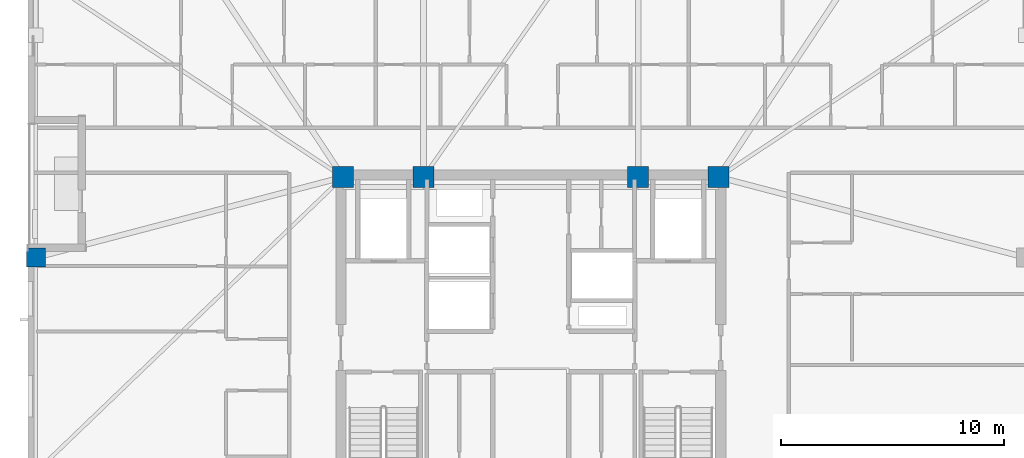
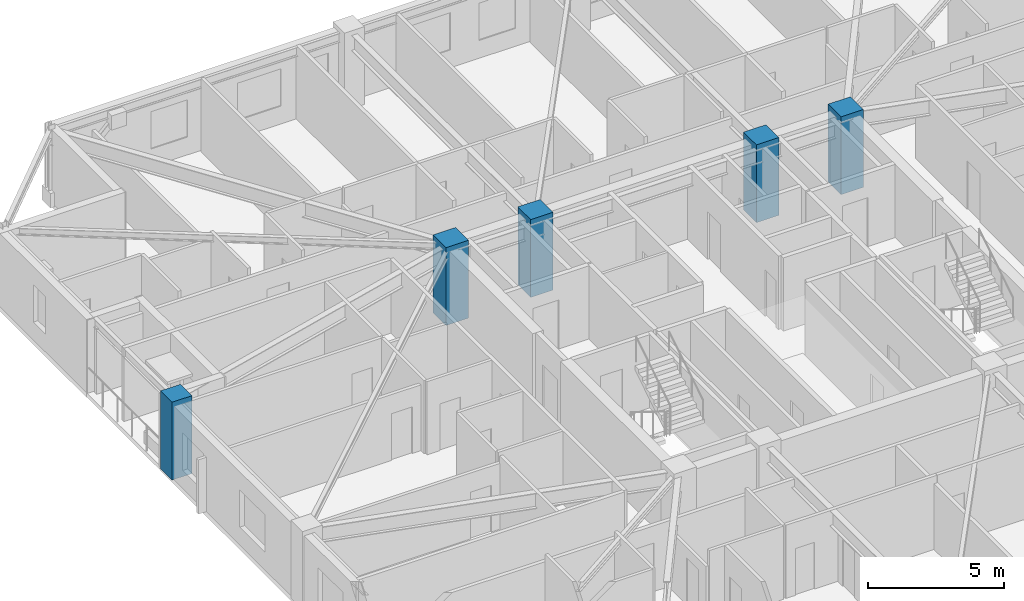
# One storey, part 2 of 17: 5 columns.
"""IFC4 building model written with IfcOpenShell, lengths in metres."""

import ifcopenshell
import ifcopenshell.guid

model = None  # the IFC model being written
_history = None  # IfcOwnerHistory: only IFC2X3 demands one
_inside = {}  # id of a spatial element -> (the spatial element, [elements in it])
_under = {}  # id of a project, library or spatial element -> (it, [spatial elements below it])
_declared = {}  # id of a project -> (the project, [libraries it declares])
_typed = {}  # id of a type object -> (the type object, [elements of that type])
_made_of = {}  # id of a material, layer set ... -> (it, [elements and type objects made of it])


def new_model(schema):
    """Start an empty IFC model of exactly this schema.

    Asked for "IFC4X3", IfcOpenShell would pick the latest addendum, in which some entities
    have other attributes; the version numbers below select the first issue.
    IFC2X3 requires an IfcOwnerHistory on every rooted entity: one is made here for all.
    """
    global model, _history
    if schema == "IFC4X3":
        model = ifcopenshell.file(schema_version=(4, 3, 0, 0))
    else:
        model = ifcopenshell.file(schema=schema)
    _inside.clear()
    _under.clear()
    _declared.clear()
    _typed.clear()
    _made_of.clear()
    _history = None
    if model.schema == "IFC2X3":
        org = make("IfcOrganization", Name="unknown")
        user = make(
            "IfcPersonAndOrganization",
            ThePerson=make("IfcPerson", FamilyName="unknown"),
            TheOrganization=org,
        )
        app = make(
            "IfcApplication",
            ApplicationDeveloper=org,
            Version="unknown",
            ApplicationFullName="unknown",
            ApplicationIdentifier="unknown",
        )
        _history = make(
            "IfcOwnerHistory",
            OwningUser=user,
            OwningApplication=app,
            ChangeAction="ADDED",
            CreationDate=0,
        )
    return model


def make(cls, **values):
    """One entity of the class cls with the attributes given. An attribute that is None is left unset."""
    return model.create_entity(
        cls, **{name: value for name, value in values.items() if value is not None}
    )


def rooted(cls, **values):
    """An entity with a GlobalId (a new one), such as an element, a storey or a relation."""
    return make(cls, GlobalId=ifcopenshell.guid.new(), OwnerHistory=_history, **values)


def si_unit(unit_type, name, prefix=None):
    """IfcSIUnit, for example si_unit("LENGTHUNIT", "METRE", prefix="MILLI")."""
    return make("IfcSIUnit", UnitType=unit_type, Prefix=prefix, Name=name)


def assignment(units):
    """IfcUnitAssignment: the units of a project."""
    return None if units is None else make("IfcUnitAssignment", Units=units)


def point(xyz):
    """IfcCartesianPoint."""
    return None if xyz is None else make("IfcCartesianPoint", Coordinates=xyz)


def direction(xyz):
    """IfcDirection."""
    return None if xyz is None else make("IfcDirection", DirectionRatios=xyz)


def frame(location, z_axis=None, x_axis=None):
    """IfcAxis2Placement3D, a coordinate frame: its origin and axes. An axis left out is left unset."""
    return make(
        "IfcAxis2Placement3D",
        Location=point(location),
        Axis=direction(z_axis),
        RefDirection=direction(x_axis),
    )


def frame_2d(location, x_axis=None):
    """IfcAxis2Placement2D, a coordinate frame in the plane: its origin and x axis."""
    return make(
        "IfcAxis2Placement2D", Location=point(location), RefDirection=direction(x_axis)
    )


def origin():
    """The frame at (0, 0, 0) with its axes left unset."""
    return frame((0.0, 0.0, 0.0))


def origin_2d():
    """The frame at (0, 0) in the plane with its x axis left unset."""
    return frame_2d((0.0, 0.0))


def place(relative_to, where):
    """IfcLocalPlacement: puts the frame where relative to a parent placement (None: the world)."""
    return make(
        "IfcLocalPlacement", PlacementRelTo=relative_to, RelativePlacement=where
    )


def context(
    kind, dimensions, precision=None, world=None, true_north=None, identifier=None
):
    """IfcGeometricRepresentationContext, for example the 3D "Model" context."""
    return make(
        "IfcGeometricRepresentationContext",
        ContextIdentifier=identifier,
        ContextType=kind,
        CoordinateSpaceDimension=dimensions,
        Precision=precision,
        WorldCoordinateSystem=world,
        TrueNorth=true_north,
    )


def subcontext(parent, identifier, kind, view, scale=None):
    """IfcGeometricRepresentationSubContext, for example "Body" below "Model"."""
    return make(
        "IfcGeometricRepresentationSubContext",
        ContextIdentifier=identifier,
        ContextType=kind,
        ParentContext=parent,
        TargetScale=scale,
        TargetView=view,
    )


def project(units=None, contexts=None):
    """IfcProject with its units and contexts."""
    return rooted(
        "IfcProject",
        Name="project",
        RepresentationContexts=contexts,
        UnitsInContext=assignment(units),
    )


def spatial(cls, under=None, at=None, **own):
    """A site, building, storey or space (cls), placed at a placement, below another one or the project."""
    s = rooted(cls, ObjectPlacement=at, **own)
    if under is not None:
        _under.setdefault(under.id(), (under, []))[1].append(s)
    return s


def profile(cls, at=None, kind="AREA", **sizes):
    """A parametric profile (cls). Its sizes go by their IFC names, for example OverallWidth=200.0."""
    return make(cls, ProfileType=kind, Position=at, **sizes)


def rectangle(**sizes):
    """IfcRectangleProfileDef."""
    return profile("IfcRectangleProfileDef", **sizes)


def extrude(swept, where, along, depth):
    """IfcExtrudedAreaSolid: the profile swept, set in the frame where, extruded along a direction by depth."""
    return make(
        "IfcExtrudedAreaSolid",
        SweptArea=swept,
        Position=where,
        ExtrudedDirection=direction(along),
        Depth=depth,
    )


def shape(context_of_items, identifier, shape_type, items):
    """IfcShapeRepresentation: the items that make up one representation, for example the "Body"."""
    return make(
        "IfcShapeRepresentation",
        ContextOfItems=context_of_items,
        RepresentationIdentifier=identifier,
        RepresentationType=shape_type,
        Items=items,
    )


def material(Name=None, Category=None):
    """IfcMaterial."""
    return make("IfcMaterial", Name=Name, Category=Category)


def material_profile(
    of_material, cross_section, Name=None, Category=None, Priority=None
):
    """IfcMaterialProfile: a cross section and its material."""
    return make(
        "IfcMaterialProfile",
        Name=Name,
        Material=of_material,
        Profile=cross_section,
        Priority=Priority,
        Category=Category,
    )


def profile_set(profiles, Name=None, composite=None):
    """IfcMaterialProfileSet."""
    return make(
        "IfcMaterialProfileSet",
        Name=Name,
        MaterialProfiles=profiles,
        CompositeProfile=composite,
    )


def made_of(thing, what):
    """Note that an element or type object is made of a material, layer set ...; save() writes the relation."""
    if what is not None:
        _made_of.setdefault(what.id(), (what, []))[1].append(thing)
    return thing


def type_object(cls, material=None, **own):
    """A type object (cls), such as IfcWallType, which elements share."""
    return made_of(rooted(cls, **own), material)


def element(
    cls,
    number,
    at=None,
    inside=None,
    cuts=None,
    type_object=None,
    material=None,
    context=None,
    identifier="Body",
    shape_type=None,
    held_by="IfcProductDefinitionShape",
    body=None,
    shapes=None,
    **own,
):
    """One element of the class cls, such as IfcWall. Its Tag is "e" and its number.

    at: its placement. inside: the storey or other place that contains it. cuts: it is an
    opening in that element (IfcRelVoidsElement). A single representation is given by context,
    identifier, shape_type and body (its items); several are given by shapes. held_by: the class
    of the entity that holds the representations. save() writes the other relations.
    """
    e = rooted(cls, Tag="e%d" % number, ObjectPlacement=at, **own)
    if body is not None:
        shapes = [shape(context, identifier, shape_type, body)]
    if shapes is not None:
        e.Representation = make(held_by, Representations=shapes)
    if inside is not None:
        _inside.setdefault(inside.id(), (inside, []))[1].append(e)
    if cuts is not None:
        rooted(
            "IfcRelVoidsElement", RelatingBuildingElement=cuts, RelatedOpeningElement=e
        )
    if type_object is not None:
        _typed.setdefault(type_object.id(), (type_object, []))[1].append(e)
    return made_of(e, material)


def aggregate(whole, parts):
    """IfcRelAggregates: a whole, such as a stair, and the parts it consists of."""
    return rooted("IfcRelAggregates", RelatingObject=whole, RelatedObjects=parts)


def save(model, path):
    """Write the relations noted so far, then the file.

    IfcRelAggregates (storeys below a building ...), IfcRelContainedInSpatialStructure (elements
    in a storey), IfcRelDefinesByType, IfcRelAssociatesMaterial and IfcRelDeclares: one each for
    every whole, place, type object, material and project.
    """
    for whole, parts in _under.values():
        aggregate(whole, parts)
    for where, things in _inside.values():
        rooted(
            "IfcRelContainedInSpatialStructure",
            RelatedElements=things,
            RelatingStructure=where,
        )
    for kind, things in _typed.values():
        rooted("IfcRelDefinesByType", RelatedObjects=things, RelatingType=kind)
    for what, things in _made_of.values():
        rooted("IfcRelAssociatesMaterial", RelatedObjects=things, RelatingMaterial=what)
    for by, libraries in _declared.values():
        rooted("IfcRelDeclares", RelatingContext=by, RelatedDefinitions=libraries)
    model.write(path)


model = new_model("IFC4")

# Units and contexts
model_context = context("Model", 3, precision=1e-05, world=origin(), true_north=direction((0.0, 1.0)))
body_context = subcontext(model_context, "Body", "Model", "MODEL_VIEW")
ifc_project = project(units=[si_unit("LENGTHUNIT", "METRE"), si_unit("AREAUNIT", "SQUARE_METRE"), si_unit("VOLUMEUNIT", "CUBIC_METRE"), si_unit("PLANEANGLEUNIT", "RADIAN"), si_unit("MASSUNIT", "GRAM", prefix="KILO")], contexts=[model_context])

# Site, building, storey
site_placement = place(None, origin())
site = spatial("IfcSite", under=ifc_project, at=site_placement, CompositionType="ELEMENT")
building_placement = place(site_placement, origin())
building = spatial("IfcBuilding", under=site, at=building_placement, Name="Cairnveth Concourse Tower", CompositionType="ELEMENT")
storey_placement = place(building_placement, frame((0.0, 0.0, 227.0)))
storey = spatial("IfcBuildingStorey", under=building, at=storey_placement, Name="L62", CompositionType="ELEMENT", Elevation=227.0)

# Columns
ifc_material = material(Name="Concrete N65 (65 MPa)", Category="concrete")
ifc_material_profile_1 = material_profile(ifc_material, rectangle(XDim=0.949951171875, YDim=0.949951171875, at=origin_2d()), Name="RC-COL-950x950")
ifc_profile_set_1 = profile_set([ifc_material_profile_1], Name="Concrete N65 (65 MPa)")
column_type_1 = type_object("IfcColumnType", Name="CORE COLUMN 950X950", PredefinedType="COLUMN", material=ifc_profile_set_1)
for number, where, z_axis, x_axis, name in (
    (1, (43.60009765625, 47.39990234375, 0.0), (0.0, 0.0, 1.0), (1.0, 0.0, 0.0), "Column CC5 L62"),
    (2, (47.199951171875, 47.39990234375, 0.0), (0.0, 0.0, 1.0), (1.0, 0.0, 0.0), "Column CC6 L62"),
    (3, (56.800048828125, 47.39990234375, 0.0), (0.0, 0.0, 1.0), (1.0, 0.0, 0.0), "Column CC7 L62"),
    (4, (60.39990234375, 47.39990234375, 0.0), (0.0, 0.0, 1.0), (1.0, 0.0, 0.0), "Column CC8 L62"),
):
    element("IfcColumn", number, at=place(storey_placement, frame(where, z_axis=z_axis, x_axis=x_axis)), inside=storey, type_object=column_type_1, Name=name, PredefinedType="COLUMN", context=body_context, shape_type="SweptSolid", body=[
        extrude(rectangle(XDim=0.949951171875, YDim=0.949951171875, at=origin_2d()), origin(), (0.0, 0.0, 1.0), 3.5),
    ])
ifc_material_profile_2 = material_profile(ifc_material, rectangle(XDim=0.85009765625, YDim=0.85009765625, at=origin_2d()), Name="RC-COL-850x850")
ifc_profile_set_2 = profile_set([ifc_material_profile_2], Name="Concrete N65 (65 MPa)")
column_type_2 = type_object("IfcColumnType", Name="PERIMETER PIER COLUMN 850X850", PredefinedType="COLUMN", material=ifc_profile_set_2)
column_placement = place(storey_placement, frame((29.85009765625, 43.800048828125, 0.0), z_axis=(0.0, 0.0, 1.0), x_axis=(0.0, 1.0, 0.0)))
element("IfcColumn", 5, at=column_placement, inside=storey, type_object=column_type_2, Name="Column P-W2 L62", PredefinedType="COLUMN", context=body_context, shape_type="SweptSolid", body=[
    extrude(rectangle(XDim=0.85009765625, YDim=0.85009765625, at=origin_2d()), origin(), (0.0, 0.0, 1.0), 3.5),
])

save(model, "model.ifc")
